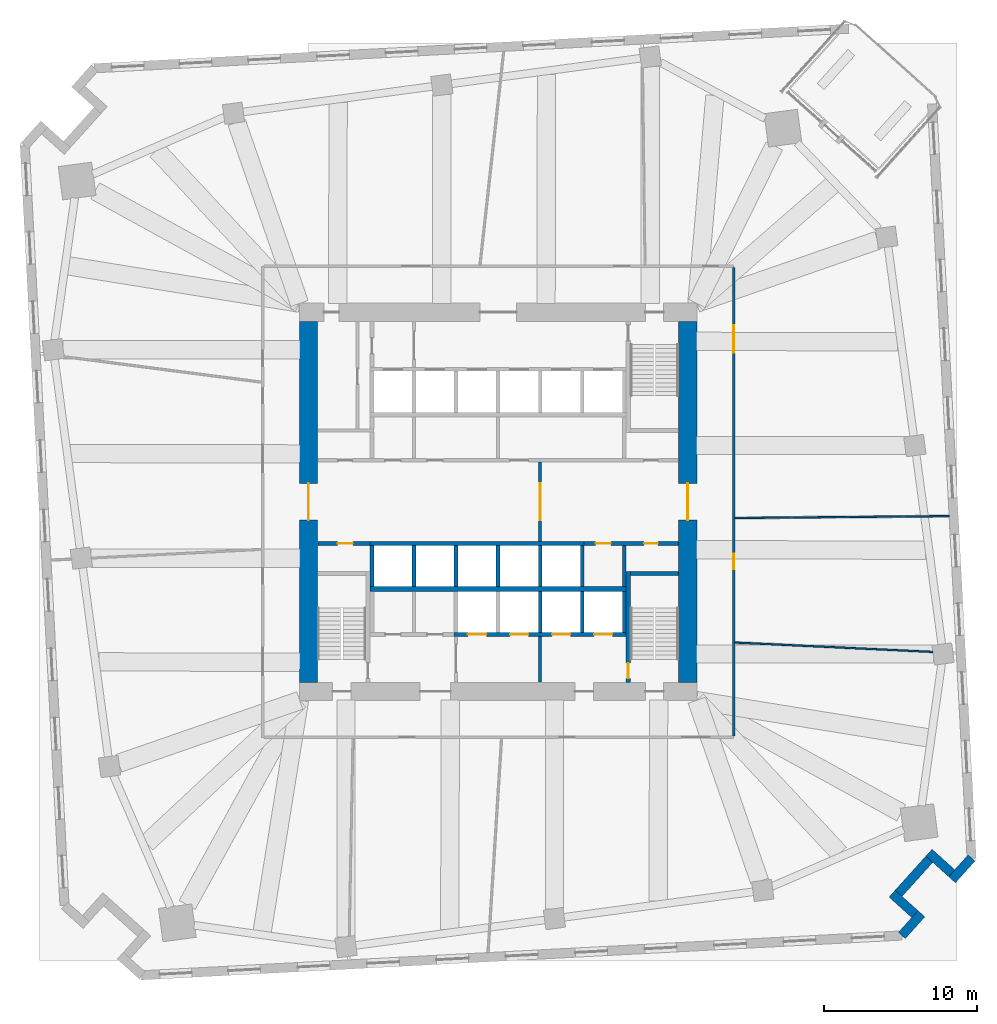
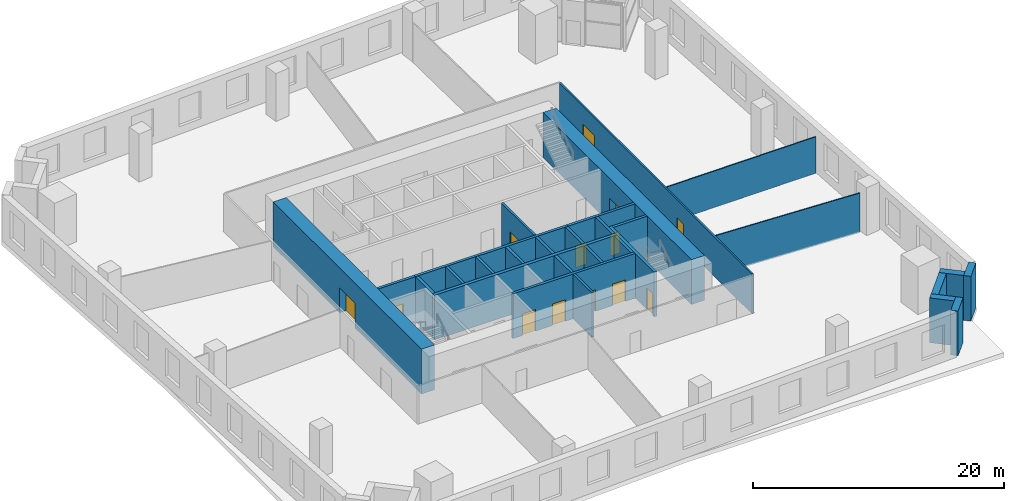
# One storey, part 5 of 10: 29 walls, 13 doors, 13 openings.
"""IFC4 building model written with IfcOpenShell, lengths in metres."""

import ifcopenshell
import ifcopenshell.guid

model = None  # the IFC model being written
_history = None  # IfcOwnerHistory: only IFC2X3 demands one
_inside = {}  # id of a spatial element -> (the spatial element, [elements in it])
_under = {}  # id of a project, library or spatial element -> (it, [spatial elements below it])
_declared = {}  # id of a project -> (the project, [libraries it declares])
_typed = {}  # id of a type object -> (the type object, [elements of that type])
_made_of = {}  # id of a material, layer set ... -> (it, [elements and type objects made of it])


def new_model(schema):
    """Start an empty IFC model of exactly this schema.

    Asked for "IFC4X3", IfcOpenShell would pick the latest addendum, in which some entities
    have other attributes; the version numbers below select the first issue.
    IFC2X3 requires an IfcOwnerHistory on every rooted entity: one is made here for all.
    """
    global model, _history
    if schema == "IFC4X3":
        model = ifcopenshell.file(schema_version=(4, 3, 0, 0))
    else:
        model = ifcopenshell.file(schema=schema)
    _inside.clear()
    _under.clear()
    _declared.clear()
    _typed.clear()
    _made_of.clear()
    _history = None
    if model.schema == "IFC2X3":
        org = make("IfcOrganization", Name="unknown")
        user = make(
            "IfcPersonAndOrganization",
            ThePerson=make("IfcPerson", FamilyName="unknown"),
            TheOrganization=org,
        )
        app = make(
            "IfcApplication",
            ApplicationDeveloper=org,
            Version="unknown",
            ApplicationFullName="unknown",
            ApplicationIdentifier="unknown",
        )
        _history = make(
            "IfcOwnerHistory",
            OwningUser=user,
            OwningApplication=app,
            ChangeAction="ADDED",
            CreationDate=0,
        )
    return model


def make(cls, **values):
    """One entity of the class cls with the attributes given. An attribute that is None is left unset."""
    return model.create_entity(
        cls, **{name: value for name, value in values.items() if value is not None}
    )


def rooted(cls, **values):
    """An entity with a GlobalId (a new one), such as an element, a storey or a relation."""
    return make(cls, GlobalId=ifcopenshell.guid.new(), OwnerHistory=_history, **values)


def si_unit(unit_type, name, prefix=None):
    """IfcSIUnit, for example si_unit("LENGTHUNIT", "METRE", prefix="MILLI")."""
    return make("IfcSIUnit", UnitType=unit_type, Prefix=prefix, Name=name)


def assignment(units):
    """IfcUnitAssignment: the units of a project."""
    return None if units is None else make("IfcUnitAssignment", Units=units)


def point(xyz):
    """IfcCartesianPoint."""
    return None if xyz is None else make("IfcCartesianPoint", Coordinates=xyz)


def direction(xyz):
    """IfcDirection."""
    return None if xyz is None else make("IfcDirection", DirectionRatios=xyz)


def frame(location, z_axis=None, x_axis=None):
    """IfcAxis2Placement3D, a coordinate frame: its origin and axes. An axis left out is left unset."""
    return make(
        "IfcAxis2Placement3D",
        Location=point(location),
        Axis=direction(z_axis),
        RefDirection=direction(x_axis),
    )


def frame_2d(location, x_axis=None):
    """IfcAxis2Placement2D, a coordinate frame in the plane: its origin and x axis."""
    return make(
        "IfcAxis2Placement2D", Location=point(location), RefDirection=direction(x_axis)
    )


def origin():
    """The frame at (0, 0, 0) with its axes left unset."""
    return frame((0.0, 0.0, 0.0))


def place(relative_to, where):
    """IfcLocalPlacement: puts the frame where relative to a parent placement (None: the world)."""
    return make(
        "IfcLocalPlacement", PlacementRelTo=relative_to, RelativePlacement=where
    )


def context(
    kind, dimensions, precision=None, world=None, true_north=None, identifier=None
):
    """IfcGeometricRepresentationContext, for example the 3D "Model" context."""
    return make(
        "IfcGeometricRepresentationContext",
        ContextIdentifier=identifier,
        ContextType=kind,
        CoordinateSpaceDimension=dimensions,
        Precision=precision,
        WorldCoordinateSystem=world,
        TrueNorth=true_north,
    )


def subcontext(parent, identifier, kind, view, scale=None):
    """IfcGeometricRepresentationSubContext, for example "Body" below "Model"."""
    return make(
        "IfcGeometricRepresentationSubContext",
        ContextIdentifier=identifier,
        ContextType=kind,
        ParentContext=parent,
        TargetScale=scale,
        TargetView=view,
    )


def project(units=None, contexts=None):
    """IfcProject with its units and contexts."""
    return rooted(
        "IfcProject",
        Name="project",
        RepresentationContexts=contexts,
        UnitsInContext=assignment(units),
    )


def spatial(cls, under=None, at=None, **own):
    """A site, building, storey or space (cls), placed at a placement, below another one or the project."""
    s = rooted(cls, ObjectPlacement=at, **own)
    if under is not None:
        _under.setdefault(under.id(), (under, []))[1].append(s)
    return s


def profile(cls, at=None, kind="AREA", **sizes):
    """A parametric profile (cls). Its sizes go by their IFC names, for example OverallWidth=200.0."""
    return make(cls, ProfileType=kind, Position=at, **sizes)


def rectangle(**sizes):
    """IfcRectangleProfileDef."""
    return profile("IfcRectangleProfileDef", **sizes)


def extrude(swept, where, along, depth):
    """IfcExtrudedAreaSolid: the profile swept, set in the frame where, extruded along a direction by depth."""
    return make(
        "IfcExtrudedAreaSolid",
        SweptArea=swept,
        Position=where,
        ExtrudedDirection=direction(along),
        Depth=depth,
    )


def shape(context_of_items, identifier, shape_type, items):
    """IfcShapeRepresentation: the items that make up one representation, for example the "Body"."""
    return make(
        "IfcShapeRepresentation",
        ContextOfItems=context_of_items,
        RepresentationIdentifier=identifier,
        RepresentationType=shape_type,
        Items=items,
    )


def material(Name=None, Category=None):
    """IfcMaterial."""
    return make("IfcMaterial", Name=Name, Category=Category)


def layer(
    of_material, thickness, ventilated=None, Name=None, Category=None, Priority=None
):
    """IfcMaterialLayer: one layer of a wall or slab, of a material (None: an air gap)."""
    return make(
        "IfcMaterialLayer",
        Material=of_material,
        LayerThickness=thickness,
        IsVentilated=ventilated,
        Name=Name,
        Category=Category,
        Priority=Priority,
    )


def layer_set(layers, Name=None):
    """IfcMaterialLayerSet."""
    return make("IfcMaterialLayerSet", MaterialLayers=layers, LayerSetName=Name)


def made_of(thing, what):
    """Note that an element or type object is made of a material, layer set ...; save() writes the relation."""
    if what is not None:
        _made_of.setdefault(what.id(), (what, []))[1].append(thing)
    return thing


def type_object(cls, material=None, **own):
    """A type object (cls), such as IfcWallType, which elements share."""
    return made_of(rooted(cls, **own), material)


def element(
    cls,
    number,
    at=None,
    inside=None,
    cuts=None,
    type_object=None,
    material=None,
    context=None,
    identifier="Body",
    shape_type=None,
    held_by="IfcProductDefinitionShape",
    body=None,
    shapes=None,
    **own,
):
    """One element of the class cls, such as IfcWall. Its Tag is "e" and its number.

    at: its placement. inside: the storey or other place that contains it. cuts: it is an
    opening in that element (IfcRelVoidsElement). A single representation is given by context,
    identifier, shape_type and body (its items); several are given by shapes. held_by: the class
    of the entity that holds the representations. save() writes the other relations.
    """
    e = rooted(cls, Tag="e%d" % number, ObjectPlacement=at, **own)
    if body is not None:
        shapes = [shape(context, identifier, shape_type, body)]
    if shapes is not None:
        e.Representation = make(held_by, Representations=shapes)
    if inside is not None:
        _inside.setdefault(inside.id(), (inside, []))[1].append(e)
    if cuts is not None:
        rooted(
            "IfcRelVoidsElement", RelatingBuildingElement=cuts, RelatedOpeningElement=e
        )
    if type_object is not None:
        _typed.setdefault(type_object.id(), (type_object, []))[1].append(e)
    return made_of(e, material)


def fill(opening, filler):
    """IfcRelFillsElement: the door or window that sits in an opening."""
    return rooted(
        "IfcRelFillsElement",
        RelatingOpeningElement=opening,
        RelatedBuildingElement=filler,
    )


def aggregate(whole, parts):
    """IfcRelAggregates: a whole, such as a stair, and the parts it consists of."""
    return rooted("IfcRelAggregates", RelatingObject=whole, RelatedObjects=parts)


def save(model, path):
    """Write the relations noted so far, then the file.

    IfcRelAggregates (storeys below a building ...), IfcRelContainedInSpatialStructure (elements
    in a storey), IfcRelDefinesByType, IfcRelAssociatesMaterial and IfcRelDeclares: one each for
    every whole, place, type object, material and project.
    """
    for whole, parts in _under.values():
        aggregate(whole, parts)
    for where, things in _inside.values():
        rooted(
            "IfcRelContainedInSpatialStructure",
            RelatedElements=things,
            RelatingStructure=where,
        )
    for kind, things in _typed.values():
        rooted("IfcRelDefinesByType", RelatedObjects=things, RelatingType=kind)
    for what, things in _made_of.values():
        rooted("IfcRelAssociatesMaterial", RelatedObjects=things, RelatingMaterial=what)
    for by, libraries in _declared.values():
        rooted("IfcRelDeclares", RelatingContext=by, RelatedDefinitions=libraries)
    model.write(path)


model = new_model("IFC4")

# Units and contexts
model_context = context("Model", 3, precision=1e-05, world=origin(), true_north=direction((0.0, 1.0)))
body_context = subcontext(model_context, "Body", "Model", "MODEL_VIEW")
ifc_project = project(units=[si_unit("LENGTHUNIT", "METRE"), si_unit("AREAUNIT", "SQUARE_METRE"), si_unit("VOLUMEUNIT", "CUBIC_METRE"), si_unit("PLANEANGLEUNIT", "RADIAN"), si_unit("MASSUNIT", "GRAM", prefix="KILO")], contexts=[model_context])

# Site, building, storey
site_placement = place(None, origin())
site = spatial("IfcSite", under=ifc_project, at=site_placement, CompositionType="ELEMENT")
building_placement = place(site_placement, origin())
building = spatial("IfcBuilding", under=site, at=building_placement, Name="Dilmun Exchange Tower", CompositionType="ELEMENT")
storey_placement = place(building_placement, frame((0.0, 0.0, 22.5)))
storey = spatial("IfcBuildingStorey", under=building, at=storey_placement, Name="L05", CompositionType="ELEMENT", Elevation=22.5)

# Wall
ifc_material_1 = material(Name="Concrete C40/50", Category="concrete")
ifc_layer_1 = layer(ifc_material_1, 0.199951171875)
ifc_layer_set_1 = layer_set([ifc_layer_1], Name="Concrete C40/50")
wall_type_1 = type_object("IfcWallType", Name="Core partition wall 200", PredefinedType="PARTITIONING", material=ifc_layer_set_1)
wall_1_placement = place(storey_placement, frame((2.75, -11.794921875, 0.0), z_axis=(0.0, 0.0, 1.0), x_axis=(0.0, 1.0, 0.0)))
element("IfcWall", 1, at=wall_1_placement, inside=storey, type_object=wall_type_1, Name="L05 core partition wall 02", PredefinedType="PARTITIONING", context=body_context, shape_type="SweptSolid", body=[
    extrude(rectangle(XDim=2.989990234375, YDim=0.199951171875, at=frame_2d((1.4951171875, 0.0))), origin(), (0.0, 0.0, 1.0), 4.35009765625),
])

# Wall, opening, door
wall_2_placement = place(storey_placement, frame((2.75, -2.594970703125, 0.0), z_axis=(0.0, 0.0, 1.0), x_axis=(0.0, 1.0, 0.0)))
wall_2 = element("IfcWall", 2, at=wall_2_placement, inside=storey, type_object=wall_type_1, Name="L05 core partition wall 09", PredefinedType="PARTITIONING", context=body_context, shape_type="SweptSolid", body=[
    extrude(rectangle(XDim=5.18994140625, YDim=0.199951171875, at=frame_2d((2.594970703125, 0.0))), origin(), (0.0, 0.0, 1.0), 4.35009765625),
])
opening_1_placement = place(wall_2_placement, frame((1.39501953125, 0.0, 0.0)))
opening_1 = element("IfcOpeningElement", 3, at=opening_1_placement, cuts=wall_2, Name="Opening CD1", PredefinedType="OPENING", context=body_context, shape_type="SweptSolid", body=[
    extrude(rectangle(XDim=2.39990234375, YDim=2.39990234375, at=frame_2d((1.199951171875, 1.199951171875))), frame((0.0, 0.10986328125, 0.0), z_axis=(0.0, -1.0, 0.0), x_axis=(1.0, 0.0, 0.0)), (0.0, 0.0, 1.0), 0.219970703125),
])
ifc_material_2 = material(Name="Fire-rated steel door set", Category="steel")
door_type_1 = type_object("IfcDoorType", Name="Core lobby door 2400x2400", OperationType="DOUBLE_DOOR_DOUBLE_SWING", PredefinedType="DOOR", material=ifc_material_2)
door_1_placement = place(opening_1_placement, origin())
door_1 = element("IfcDoor", 4, at=door_1_placement, inside=storey, type_object=door_type_1, Name="L05 door Lift lobby east", OperationType="DOUBLE_DOOR_DOUBLE_SWING", OverallHeight=2.39990234375, OverallWidth=2.39990234375, PredefinedType="DOOR", context=body_context, shape_type="SweptSolid", body=[
    extrude(rectangle(XDim=2.39990234375, YDim=2.39990234375, at=frame_2d((1.199951171875, 1.199951171875))), frame((0.0, 0.02490234375, 0.0), z_axis=(0.0, -1.0, 0.0), x_axis=(1.0, 0.0, 0.0)), (0.0, 0.0, 1.0), 0.050048828125),
])
fill(opening_1, door_1)

# Wall
ifc_layer_2 = layer(ifc_material_1, 0.25)
ifc_layer_set_2 = layer_set([ifc_layer_2], Name="Concrete C40/50")
wall_type_2 = type_object("IfcWallType", Name="Core partition wall 250", PredefinedType="PARTITIONING", material=ifc_layer_set_2)
wall_3_placement = place(storey_placement, frame((8.25, -5.544921875, 0.0), z_axis=(0.0, 0.0, 1.0), x_axis=(0.0, 1.0, 0.0)))
element("IfcWall", 5, at=wall_3_placement, inside=storey, type_object=wall_type_2, Name="L05 core partition wall 06", PredefinedType="PARTITIONING", context=body_context, shape_type="SweptSolid", body=[
    extrude(rectangle(XDim=2.68994140625, YDim=0.25, at=frame_2d((1.344970703125, 0.0))), origin(), (0.0, 0.0, 1.0), 4.35009765625),
])

# Wall, opening, door
wall_4_placement = place(storey_placement, frame((-11.794921875, -2.72509765625, 0.0), z_axis=(0.0, 0.0, 1.0), x_axis=(1.0, 0.0, 0.0)))
wall_4 = element("IfcWall", 6, at=wall_4_placement, inside=storey, type_object=wall_type_2, Name="L05 core partition wall 07", PredefinedType="PARTITIONING", context=body_context, shape_type="SweptSolid", body=[
    extrude(rectangle(XDim=3.4150390625, YDim=0.25, at=frame_2d((1.70751953125, 0.0))), origin(), (0.0, 0.0, 1.0), 4.35009765625),
])
opening_2_placement = place(wall_4_placement, frame((1.294921875, 0.0, 0.0)))
opening_2 = element("IfcOpeningElement", 7, at=opening_2_placement, cuts=wall_4, Name="Opening CD4", PredefinedType="OPENING", context=body_context, shape_type="SweptSolid", body=[
    extrude(rectangle(XDim=1.0, YDim=2.10009765625, at=frame_2d((0.5, 1.050048828125))), frame((0.0, 0.135009765625, 0.0), z_axis=(0.0, -1.0, 0.0), x_axis=(1.0, 0.0, 0.0)), (0.0, 0.0, 1.0), 0.27001953125),
])
door_type_2 = type_object("IfcDoorType", Name="Core room door 1000x2100", OperationType="SINGLE_SWING_LEFT", PredefinedType="DOOR", material=ifc_material_2)
door_2_placement = place(opening_2_placement, origin())
door_2 = element("IfcDoor", 8, at=door_2_placement, inside=storey, type_object=door_type_2, Name="L05 door Accessible WC", OperationType="SINGLE_SWING_RIGHT", OverallHeight=2.10009765625, OverallWidth=1.0, PredefinedType="DOOR", context=body_context, shape_type="SweptSolid", body=[
    extrude(rectangle(XDim=1.0, YDim=2.10009765625, at=frame_2d((0.5, 1.050048828125))), frame((0.0, 0.02490234375, 0.0), z_axis=(0.0, -1.0, 0.0), x_axis=(1.0, 0.0, 0.0)), (0.0, 0.0, 1.0), 0.050048828125),
])
fill(opening_2, door_2)

# Wall, openings, doors
wall_5_placement = place(storey_placement, frame((5.6298828125, -2.72509765625, 0.0), z_axis=(0.0, 0.0, 1.0), x_axis=(1.0, 0.0, 0.0)))
wall_5 = element("IfcWall", 9, at=wall_5_placement, inside=storey, type_object=wall_type_2, Name="L05 core partition wall 08", PredefinedType="PARTITIONING", context=body_context, shape_type="SweptSolid", body=[
    extrude(rectangle(XDim=6.1650390625, YDim=0.25, at=frame_2d((3.08251953125, 0.0))), origin(), (0.0, 0.0, 1.0), 4.35009765625),
])
opening_3_placement = place(wall_5_placement, frame((0.7451171875, 0.0, 0.0)))
opening_3 = element("IfcOpeningElement", 10, at=opening_3_placement, cuts=wall_5, Name="Opening CD4", PredefinedType="OPENING", context=body_context, shape_type="SweptSolid", body=[
    extrude(rectangle(XDim=1.0, YDim=2.10009765625, at=frame_2d((0.5, 1.050048828125))), frame((0.0, 0.135009765625, 0.0), z_axis=(0.0, -1.0, 0.0), x_axis=(1.0, 0.0, 0.0)), (0.0, 0.0, 1.0), 0.27001953125),
])
opening_4_placement = place(wall_5_placement, frame((3.919921875, 0.0, 0.0)))
opening_4 = element("IfcOpeningElement", 11, at=opening_4_placement, cuts=wall_5, Name="Opening CD6", PredefinedType="OPENING", context=body_context, shape_type="SweptSolid", body=[
    extrude(rectangle(XDim=0.89990234375, YDim=2.10009765625, at=frame_2d((0.449951171875, 1.050048828125))), frame((0.0, 0.135009765625, 0.0), z_axis=(0.0, -1.0, 0.0), x_axis=(1.0, 0.0, 0.0)), (0.0, 0.0, 1.0), 0.27001953125),
])
door_3_placement = place(opening_3_placement, origin())
door_3 = element("IfcDoor", 12, at=door_3_placement, inside=storey, type_object=door_type_2, Name="L05 door Cleaners' store", OperationType="SINGLE_SWING_RIGHT", OverallHeight=2.10009765625, OverallWidth=1.0, PredefinedType="DOOR", context=body_context, shape_type="SweptSolid", body=[
    extrude(rectangle(XDim=1.0, YDim=2.10009765625, at=frame_2d((0.5, 1.050048828125))), frame((0.0, 0.02490234375, 0.0), z_axis=(0.0, -1.0, 0.0), x_axis=(1.0, 0.0, 0.0)), (0.0, 0.0, 1.0), 0.050048828125),
])
fill(opening_3, door_3)
door_type_3 = type_object("IfcDoorType", Name="Core room door 900x2100", OperationType="SINGLE_SWING_LEFT", PredefinedType="DOOR", material=ifc_material_2)
door_4_placement = place(opening_4_placement, origin())
door_4 = element("IfcDoor", 13, at=door_4_placement, inside=storey, type_object=door_type_3, Name="L05 door Comms riser", OperationType="SINGLE_SWING_RIGHT", OverallHeight=2.10009765625, OverallWidth=0.89990234375, PredefinedType="DOOR", context=body_context, shape_type="SweptSolid", body=[
    extrude(rectangle(XDim=0.89990234375, YDim=2.10009765625, at=frame_2d((0.449951171875, 1.050048828125))), frame((0.0, 0.02490234375, 0.0), z_axis=(0.0, -1.0, 0.0), x_axis=(1.0, 0.0, 0.0)), (0.0, 0.0, 1.0), 0.050048828125),
])
fill(opening_4, door_4)

# Wall, opening, door
ifc_material_3 = material(Name="Concrete C80/95", Category="concrete")
ifc_layer_3 = layer(ifc_material_3, 1.199951171875)
ifc_layer_set_3 = layer_set([ifc_layer_3], Name="Concrete C80/95")
wall_type_3 = type_object("IfcWallType", Name="Core shear wall 1200 Concrete C80/95", PredefinedType="SHEAR", material=ifc_layer_set_3)
wall_6_placement = place(storey_placement, frame((12.39990234375, -11.800048828125, 0.0), z_axis=(0.0, 0.0, 1.0), x_axis=(0.0, 1.0, 0.0)))
wall_6 = element("IfcWall", 14, at=wall_6_placement, inside=storey, type_object=wall_type_3, Name="L05 core shear wall E", PredefinedType="SHEAR", context=body_context, shape_type="SweptSolid", body=[
    extrude(rectangle(XDim=23.60009765625, YDim=1.199951171875, at=frame_2d((11.800048828125, 0.0))), origin(), (0.0, 0.0, 1.0), 4.35009765625),
])
opening_5_placement = place(wall_6_placement, frame((10.60009765625, 0.0, 0.0)))
opening_5 = element("IfcOpeningElement", 15, at=opening_5_placement, cuts=wall_6, Name="Opening CD1", PredefinedType="OPENING", context=body_context, shape_type="SweptSolid", body=[
    extrude(rectangle(XDim=2.39990234375, YDim=2.39990234375, at=frame_2d((1.199951171875, 1.199951171875))), frame((0.0, 0.60986328125, 0.0), z_axis=(0.0, -1.0, 0.0), x_axis=(1.0, 0.0, 0.0)), (0.0, 0.0, 1.0), 1.219970703125),
])
door_5_placement = place(opening_5_placement, origin())
door_5 = element("IfcDoor", 16, at=door_5_placement, inside=storey, type_object=door_type_1, Name="L05 door Central lift lobby", OperationType="SINGLE_SWING_LEFT", OverallHeight=2.39990234375, OverallWidth=2.39990234375, PredefinedType="DOOR", context=body_context, shape_type="SweptSolid", body=[
    extrude(rectangle(XDim=2.39990234375, YDim=2.39990234375, at=frame_2d((1.199951171875, 1.199951171875))), frame((0.0, 0.02490234375, 0.0), z_axis=(0.0, -1.0, 0.0), x_axis=(1.0, 0.0, 0.0)), (0.0, 0.0, 1.0), 0.050048828125),
])
fill(opening_5, door_5)

wall_7_placement = place(storey_placement, frame((-12.39990234375, -11.800048828125, 0.0), z_axis=(0.0, 0.0, 1.0), x_axis=(0.0, 1.0, 0.0)))
wall_7 = element("IfcWall", 17, at=wall_7_placement, inside=storey, type_object=wall_type_3, Name="L05 core shear wall W", PredefinedType="SHEAR", context=body_context, shape_type="SweptSolid", body=[
    extrude(rectangle(XDim=23.60009765625, YDim=1.199951171875, at=frame_2d((11.800048828125, 0.0))), origin(), (0.0, 0.0, 1.0), 4.35009765625),
])
opening_6_placement = place(wall_7_placement, frame((10.60009765625, 0.0, 0.0)))
opening_6 = element("IfcOpeningElement", 18, at=opening_6_placement, cuts=wall_7, Name="Opening CD1", PredefinedType="OPENING", context=body_context, shape_type="SweptSolid", body=[
    extrude(rectangle(XDim=2.39990234375, YDim=2.39990234375, at=frame_2d((1.199951171875, 1.199951171875))), frame((0.0, 0.60986328125, 0.0), z_axis=(0.0, -1.0, 0.0), x_axis=(1.0, 0.0, 0.0)), (0.0, 0.0, 1.0), 1.219970703125),
])
door_6_placement = place(opening_6_placement, origin())
door_6 = element("IfcDoor", 19, at=door_6_placement, inside=storey, type_object=door_type_1, Name="L05 door Central lift lobby", OperationType="SINGLE_SWING_LEFT", OverallHeight=2.39990234375, OverallWidth=2.39990234375, PredefinedType="DOOR", context=body_context, shape_type="SweptSolid", body=[
    extrude(rectangle(XDim=2.39990234375, YDim=2.39990234375, at=frame_2d((1.199951171875, 1.199951171875))), frame((0.0, 0.02490234375, 0.0), z_axis=(0.0, -1.0, 0.0), x_axis=(1.0, 0.0, 0.0)), (0.0, 0.0, 1.0), 0.050048828125),
])
fill(opening_6, door_6)

# Wall, openings, doors
ifc_material_4 = material(Name="Corridor wall 150")
ifc_layer_4 = layer(ifc_material_4, 0.14990234375)
ifc_layer_set_4 = layer_set([ifc_layer_4], Name="Corridor wall 150")
wall_type_4 = type_object("IfcWallType", Name="Corridor wall 150", PredefinedType="PARTITIONING", material=ifc_layer_set_4)
wall_8_placement = place(storey_placement, frame((15.39990234375, -15.324951171875, 0.0), z_axis=(0.0, 0.0, 1.0), x_axis=(0.0, 1.0, 0.0)))
wall_8 = element("IfcWall", 20, at=wall_8_placement, inside=storey, type_object=wall_type_4, Name="Corridor wall", PredefinedType="PARTITIONING", context=body_context, shape_type="SweptSolid", body=[
    extrude(rectangle(XDim=30.64990234375, YDim=0.14990234375, at=frame_2d((15.324951171875, 0.0))), origin(), (0.0, 0.0, 1.0), 3.85009765625),
])
opening_7_placement = place(wall_8_placement, frame((25.067626953125, 0.0, 0.0)))
opening_7 = element("IfcOpeningElement", 21, at=opening_7_placement, cuts=wall_8, Name="Opening TF05-D11", PredefinedType="OPENING", context=body_context, shape_type="SweptSolid", body=[
    extrude(rectangle(XDim=1.800048828125, YDim=2.10009765625, at=frame_2d((0.89990234375, 1.050048828125))), frame((0.0, 0.0849609375, 0.0), z_axis=(0.0, -1.0, 0.0), x_axis=(1.0, 0.0, 0.0)), (0.0, 0.0, 1.0), 0.169921875),
])
opening_8_placement = place(wall_8_placement, frame((10.927490234375, 0.0, 0.0)))
opening_8 = element("IfcOpeningElement", 22, at=opening_8_placement, cuts=wall_8, Name="Opening TF05-D13", PredefinedType="OPENING", context=body_context, shape_type="SweptSolid", body=[
    extrude(rectangle(XDim=1.0, YDim=2.10009765625, at=frame_2d((0.5, 1.050048828125))), frame((0.0, 0.0849609375, 0.0), z_axis=(0.0, -1.0, 0.0), x_axis=(1.0, 0.0, 0.0)), (0.0, 0.0, 1.0), 0.169921875),
])
ifc_material_5 = material(Name="Fire door 1000 x 2100")
door_type_4 = type_object("IfcDoorType", Name="Fire door 1000 x 2100", OperationType="NOTDEFINED", PredefinedType="DOOR", material=ifc_material_5)
door_7_placement = place(opening_8_placement, frame((1.0, 0.0, 0.0), z_axis=(0.0, 0.0, 1.0), x_axis=(-1.0, 0.0, 0.0)))
door_7 = element("IfcDoor", 23, at=door_7_placement, inside=storey, type_object=door_type_4, Name="Door TF05-D13", OperationType="SINGLE_SWING_RIGHT", OverallHeight=2.10009765625, OverallWidth=1.0, PredefinedType="DOOR", context=body_context, shape_type="SweptSolid", body=[
    extrude(rectangle(XDim=1.0, YDim=2.10009765625, at=frame_2d((0.5, 1.050048828125))), frame((0.0, 0.02490234375, 0.0), z_axis=(0.0, -1.0, 0.0), x_axis=(1.0, 0.0, 0.0)), (0.0, 0.0, 1.0), 0.050048828125),
])
fill(opening_8, door_7)
ifc_material_6 = material(Name="Fire door pair 1800 x 2100")
door_type_5 = type_object("IfcDoorType", Name="Fire door pair 1800 x 2100", OperationType="NOTDEFINED", PredefinedType="DOOR", material=ifc_material_6)
door_8_placement = place(opening_7_placement, frame((1.800048828125, 0.0, 0.0), z_axis=(0.0, 0.0, 1.0), x_axis=(-1.0, 0.0, 0.0)))
door_8 = element("IfcDoor", 24, at=door_8_placement, inside=storey, type_object=door_type_5, Name="Door TF05-D11", OperationType="DOUBLE_DOOR_SINGLE_SWING", OverallHeight=2.10009765625, OverallWidth=1.800048828125, PredefinedType="DOOR", context=body_context, shape_type="SweptSolid", body=[
    extrude(rectangle(XDim=1.800048828125, YDim=2.10009765625, at=frame_2d((0.89990234375, 1.050048828125))), frame((0.0, 0.02490234375, 0.0), z_axis=(0.0, -1.0, 0.0), x_axis=(1.0, 0.0, 0.0)), (0.0, 0.0, 1.0), 0.050048828125),
])
fill(opening_7, door_8)

# Walls
ifc_layer_5 = layer(ifc_material_1, 0.300048828125)
ifc_layer_set_5 = layer_set([ifc_layer_5], Name="Concrete C40/50")
wall_type_5 = type_object("IfcWallType", Name="Lift shaft shared wall 300", PredefinedType="SOLIDWALL", material=ifc_layer_set_5)
wall_9_placement = place(storey_placement, frame((-8.375, -5.699951171875, 0.0), z_axis=(0.0, 0.0, 1.0), x_axis=(1.0, 0.0, 0.0)))
element("IfcWall", 25, at=wall_9_placement, inside=storey, type_object=wall_type_5, Name="L05 lift shaft rear wall S", PredefinedType="SOLIDWALL", context=body_context, shape_type="SweptSolid", body=[
    extrude(rectangle(XDim=16.75, YDim=0.300048828125, at=frame_2d((8.375, 0.0))), origin(), (0.0, 0.0, 1.0), 4.35009765625),
])
ifc_layer_6 = layer(ifc_material_1, 0.25)
ifc_layer_set_6 = layer_set([ifc_layer_6], Name="Concrete C40/50")
wall_type_6 = type_object("IfcWallType", Name="Lift shaft wall 250", PredefinedType="SOLIDWALL", material=ifc_layer_set_6)
wall_10_placement = place(storey_placement, frame((-8.375, -2.72509765625, 0.0), z_axis=(0.0, 0.0, 1.0), x_axis=(1.0, 0.0, 0.0)))
element("IfcWall", 26, at=wall_10_placement, inside=storey, type_object=wall_type_6, Name="L05 lift shaft front wall S1", PredefinedType="SOLIDWALL", context=body_context, shape_type="SweptSolid", body=[
    extrude(rectangle(XDim=14.0, YDim=0.25, at=frame_2d((7.0, 0.0))), origin(), (0.0, 0.0, 1.0), 4.35009765625),
])
for number, where, z_axis, x_axis, name in (
    (27, (-8.25, -5.550048828125, 0.0), (0.0, 0.0, 1.0), (0.0, 1.0, 0.0), "L05 lift shaft divider S10"),
    (28, (-5.5, -5.550048828125, 0.0), (0.0, 0.0, 1.0), (0.0, 1.0, 0.0), "L05 lift shaft divider S11"),
    (29, (-2.75, -5.550048828125, 0.0), (0.0, 0.0, 1.0), (0.0, 1.0, 0.0), "L05 lift shaft divider S12"),
    (30, (0.0, -5.550048828125, 0.0), (0.0, 0.0, 1.0), (0.0, 1.0, 0.0), "L05 lift shaft divider S13"),
    (31, (2.75, -5.550048828125, 0.0), (0.0, 0.0, 1.0), (0.0, 1.0, 0.0), "L05 lift shaft divider S14"),
    (32, (5.5, -5.550048828125, 0.0), (0.0, 0.0, 1.0), (0.0, 1.0, 0.0), "L05 lift shaft divider S15"),
):
    element("IfcWall", number, at=place(storey_placement, frame(where, z_axis=z_axis, x_axis=x_axis)), inside=storey, type_object=wall_type_6, Name=name, PredefinedType="SOLIDWALL", context=body_context, shape_type="SweptSolid", body=[
        extrude(rectangle(XDim=2.699951171875, YDim=0.25, at=frame_2d((1.35009765625, 0.0))), origin(), (0.0, 0.0, 1.0), 4.35009765625),
    ])

# Wall, openings, doors
wall_11_placement = place(storey_placement, frame((-2.875, -8.675048828125, 0.0), z_axis=(0.0, 0.0, 1.0), x_axis=(1.0, 0.0, 0.0)))
wall_11 = element("IfcWall", 33, at=wall_11_placement, inside=storey, type_object=wall_type_6, Name="L05 lift shaft front wall S2", PredefinedType="SOLIDWALL", context=body_context, shape_type="SweptSolid", body=[
    extrude(rectangle(XDim=11.25, YDim=0.25, at=frame_2d((5.625, 0.0))), origin(), (0.0, 0.0, 1.0), 4.35009765625),
])
opening_9_placement = place(wall_11_placement, frame((0.89990234375, 0.0, 0.0)))
opening_9 = element("IfcOpeningElement", 34, at=opening_9_placement, cuts=wall_11, Name="Opening LD", PredefinedType="OPENING", context=body_context, shape_type="SweptSolid", body=[
    extrude(rectangle(XDim=1.199951171875, YDim=2.10009765625, at=frame_2d((0.60009765625, 1.050048828125))), frame((0.0, 0.135009765625, 0.0), z_axis=(0.0, -1.0, 0.0), x_axis=(1.0, 0.0, 0.0)), (0.0, 0.0, 1.0), 0.27001953125),
])
opening_10_placement = place(wall_11_placement, frame((3.64990234375, 0.0, 0.0)))
opening_10 = element("IfcOpeningElement", 35, at=opening_10_placement, cuts=wall_11, Name="Opening LD", PredefinedType="OPENING", context=body_context, shape_type="SweptSolid", body=[
    extrude(rectangle(XDim=1.199951171875, YDim=2.10009765625, at=frame_2d((0.60009765625, 1.050048828125))), frame((0.0, 0.135009765625, 0.0), z_axis=(0.0, -1.0, 0.0), x_axis=(1.0, 0.0, 0.0)), (0.0, 0.0, 1.0), 0.27001953125),
])
opening_11_placement = place(wall_11_placement, frame((6.39990234375, 0.0, 0.0)))
opening_11 = element("IfcOpeningElement", 36, at=opening_11_placement, cuts=wall_11, Name="Opening LD", PredefinedType="OPENING", context=body_context, shape_type="SweptSolid", body=[
    extrude(rectangle(XDim=1.199951171875, YDim=2.10009765625, at=frame_2d((0.60009765625, 1.050048828125))), frame((0.0, 0.135009765625, 0.0), z_axis=(0.0, -1.0, 0.0), x_axis=(1.0, 0.0, 0.0)), (0.0, 0.0, 1.0), 0.27001953125),
])
opening_12_placement = place(wall_11_placement, frame((9.14990234375, 0.0, 0.0)))
opening_12 = element("IfcOpeningElement", 37, at=opening_12_placement, cuts=wall_11, Name="Opening LD", PredefinedType="OPENING", context=body_context, shape_type="SweptSolid", body=[
    extrude(rectangle(XDim=1.199951171875, YDim=2.10009765625, at=frame_2d((0.60009765625, 1.050048828125))), frame((0.0, 0.135009765625, 0.0), z_axis=(0.0, -1.0, 0.0), x_axis=(1.0, 0.0, 0.0)), (0.0, 0.0, 1.0), 0.27001953125),
])
door_type_6 = type_object("IfcDoorType", Name="Lift landing door 1200x2100", OperationType="DOUBLE_DOOR_SLIDING", PredefinedType="DOOR", material=ifc_material_2)
door_9_placement = place(opening_9_placement, origin())
door_9 = element("IfcDoor", 38, at=door_9_placement, inside=storey, type_object=door_type_6, Name="L05 landing door SV1", OperationType="DOUBLE_DOOR_SLIDING", OverallHeight=2.10009765625, OverallWidth=1.199951171875, PredefinedType="DOOR", context=body_context, shape_type="SweptSolid", body=[
    extrude(rectangle(XDim=1.199951171875, YDim=2.10009765625, at=frame_2d((0.60009765625, 1.050048828125))), frame((0.0, 0.02490234375, 0.0), z_axis=(0.0, -1.0, 0.0), x_axis=(1.0, 0.0, 0.0)), (0.0, 0.0, 1.0), 0.050048828125),
])
fill(opening_9, door_9)
door_10_placement = place(opening_10_placement, origin())
door_10 = element("IfcDoor", 39, at=door_10_placement, inside=storey, type_object=door_type_6, Name="L05 landing door SV2", OperationType="DOUBLE_DOOR_SLIDING", OverallHeight=2.10009765625, OverallWidth=1.199951171875, PredefinedType="DOOR", context=body_context, shape_type="SweptSolid", body=[
    extrude(rectangle(XDim=1.199951171875, YDim=2.10009765625, at=frame_2d((0.60009765625, 1.050048828125))), frame((0.0, 0.02490234375, 0.0), z_axis=(0.0, -1.0, 0.0), x_axis=(1.0, 0.0, 0.0)), (0.0, 0.0, 1.0), 0.050048828125),
])
fill(opening_10, door_10)
door_11_placement = place(opening_11_placement, origin())
door_11 = element("IfcDoor", 40, at=door_11_placement, inside=storey, type_object=door_type_6, Name="L05 landing door FF1", OperationType="DOUBLE_DOOR_SLIDING", OverallHeight=2.10009765625, OverallWidth=1.199951171875, PredefinedType="DOOR", context=body_context, shape_type="SweptSolid", body=[
    extrude(rectangle(XDim=1.199951171875, YDim=2.10009765625, at=frame_2d((0.60009765625, 1.050048828125))), frame((0.0, 0.02490234375, 0.0), z_axis=(0.0, -1.0, 0.0), x_axis=(1.0, 0.0, 0.0)), (0.0, 0.0, 1.0), 0.050048828125),
])
fill(opening_11, door_11)
door_12_placement = place(opening_12_placement, origin())
door_12 = element("IfcDoor", 41, at=door_12_placement, inside=storey, type_object=door_type_6, Name="L05 landing door FF2", OperationType="DOUBLE_DOOR_SLIDING", OverallHeight=2.10009765625, OverallWidth=1.199951171875, PredefinedType="DOOR", context=body_context, shape_type="SweptSolid", body=[
    extrude(rectangle(XDim=1.199951171875, YDim=2.10009765625, at=frame_2d((0.60009765625, 1.050048828125))), frame((0.0, 0.02490234375, 0.0), z_axis=(0.0, -1.0, 0.0), x_axis=(1.0, 0.0, 0.0)), (0.0, 0.0, 1.0), 0.050048828125),
])
fill(opening_12, door_12)

# Walls
for number, where, z_axis, x_axis, name in (
    (42, (2.75, -8.550048828125, 0.0), (0.0, 0.0, 1.0), (0.0, 1.0, 0.0), "L05 lift shaft divider S24"),
    (43, (5.5, -8.550048828125, 0.0), (0.0, 0.0, 1.0), (0.0, 1.0, 0.0), "L05 lift shaft divider S25"),
    (44, (8.25, -8.550048828125, 0.0), (0.0, 0.0, 1.0), (0.0, 1.0, 0.0), "L05 lift shaft divider S26"),
):
    element("IfcWall", number, at=place(storey_placement, frame(where, z_axis=z_axis, x_axis=x_axis)), inside=storey, type_object=wall_type_6, Name=name, PredefinedType="SOLIDWALL", context=body_context, shape_type="SweptSolid", body=[
        extrude(rectangle(XDim=2.699951171875, YDim=0.25, at=frame_2d((1.35009765625, 0.0))), origin(), (0.0, 0.0, 1.0), 4.35009765625),
    ])
ifc_material_7 = material(Name="Partition 100")
ifc_layer_7 = layer(ifc_material_7, 0.10009765625)
ifc_layer_set_7 = layer_set([ifc_layer_7], Name="Partition 100")
wall_type_7 = type_object("IfcWallType", Name="Partition 100", PredefinedType="PARTITIONING", material=ifc_layer_set_7)
wall_12_placement = place(storey_placement, frame((15.477294921875, -9.19970703125, 0.0), z_axis=(0.0, 0.0, 1.0), x_axis=(0.998880891155, -0.04729656738, 0.0)))
element("IfcWall", 45, at=wall_12_placement, inside=storey, type_object=wall_type_7, Name="Partition", PredefinedType="PARTITIONING", context=body_context, shape_type="SweptSolid", body=[
    extrude(rectangle(XDim=12.956298828125, YDim=0.10009765625, at=frame_2d((6.47802734375, 0.0))), origin(), (0.0, 0.0, 1.0), 3.85009765625),
])
wall_13_placement = place(storey_placement, frame((15.475341796875, -1.056396484375, 0.0), z_axis=(0.0, 0.0, 1.0), x_axis=(0.999960210713, 0.00892059359, 0.0)))
element("IfcWall", 46, at=wall_13_placement, inside=storey, type_object=wall_type_7, Name="Partition", PredefinedType="PARTITIONING", context=body_context, shape_type="SweptSolid", body=[
    extrude(rectangle(XDim=14.012451171875, YDim=0.10009765625, at=frame_2d((7.00634765625, 0.0))), origin(), (0.0, 0.0, 1.0), 3.550048828125),
])
ifc_material_8 = material(Name="Precast concrete C50/60", Category="concrete")
ifc_layer_8 = layer(ifc_material_8, 0.60009765625)
ifc_layer_set_8 = layer_set([ifc_layer_8], Name="Precast concrete C50/60")
wall_type_8 = type_object("IfcWallType", Name="Precast stone-clad wall 600", PredefinedType="STANDARD", material=ifc_layer_set_8)
wall_14_placement = place(storey_placement, frame((26.39599609375, -28.357421875, 0.0), z_axis=(0.0, 0.0, 1.0), x_axis=(0.669091754139, 0.743179806334, 0.0)))
element("IfcWall", 47, at=wall_14_placement, inside=storey, type_object=wall_type_8, Name="Facade wall L05-16", PredefinedType="STANDARD", context=body_context, shape_type="SweptSolid", body=[
    extrude(rectangle(XDim=1.911376953125, YDim=0.60009765625, at=frame_2d((0.95556640625, 0.0))), origin(), (0.0, 0.0, 1.0), 4.35009765625),
])
wall_15_placement = place(storey_placement, frame((27.251220703125, -26.959228515625, 0.0), z_axis=(0.0, 0.0, 1.0), x_axis=(-0.743184876971, 0.669086121991, 0.0)))
element("IfcWall", 48, at=wall_15_placement, inside=storey, type_object=wall_type_8, Name="Facade wall L05-17", PredefinedType="STANDARD", context=body_context, shape_type="SweptSolid", body=[
    extrude(rectangle(XDim=2.0, YDim=0.60009765625, at=frame_2d((1.0, 0.0))), origin(), (0.0, 0.0, 1.0), 4.35009765625),
])
wall_16_placement = place(storey_placement, frame((26.188720703125, -25.598876953125, 0.0), z_axis=(0.0, 0.0, 1.0), x_axis=(0.669108595814, 0.743164643271, 0.0)))
element("IfcWall", 49, at=wall_16_placement, inside=storey, type_object=wall_type_8, Name="Facade wall L05-18", PredefinedType="STANDARD", context=body_context, shape_type="SweptSolid", body=[
    extrude(rectangle(XDim=3.0, YDim=0.60009765625, at=frame_2d((1.5, 0.0))), origin(), (0.0, 0.0, 1.0), 4.35009765625),
])
wall_17_placement = place(storey_placement, frame((28.173828125, -22.94580078125, 0.0), z_axis=(0.0, 0.0, 1.0), x_axis=(0.743184876971, -0.669086121991, 0.0)))
element("IfcWall", 50, at=wall_17_placement, inside=storey, type_object=wall_type_8, Name="Facade wall L05-19", PredefinedType="STANDARD", context=body_context, shape_type="SweptSolid", body=[
    extrude(rectangle(XDim=2.0, YDim=0.60009765625, at=frame_2d((1.0, 0.0))), origin(), (0.0, 0.0, 1.0), 4.35009765625),
])
wall_18_placement = place(storey_placement, frame((29.682373046875, -24.70751953125, 0.0), z_axis=(0.0, 0.0, 1.0), x_axis=(0.669155276156, 0.743122611951, 0.0)))
element("IfcWall", 51, at=wall_18_placement, inside=storey, type_object=wall_type_8, Name="Facade wall L05-20", PredefinedType="STANDARD", context=body_context, shape_type="SweptSolid", body=[
    extrude(rectangle(XDim=1.9111328125, YDim=0.60009765625, at=frame_2d((0.95556640625, 0.0))), origin(), (0.0, 0.0, 1.0), 4.35009765625),
])
ifc_layer_9 = layer(ifc_material_1, 0.25)
ifc_layer_set_9 = layer_set([ifc_layer_9], Name="Concrete C40/50")
wall_type_9 = type_object("IfcWallType", Name="Stair end wall 250", PredefinedType="SOLIDWALL", material=ifc_layer_set_9)
wall_19_placement = place(storey_placement, frame((8.64990234375, -4.675048828125, 0.0), z_axis=(0.0, 0.0, 1.0), x_axis=(1.0, 0.0, 0.0)))
element("IfcWall", 52, at=wall_19_placement, inside=storey, type_object=wall_type_9, Name="L05 ST3 far wall", PredefinedType="SOLIDWALL", context=body_context, shape_type="SweptSolid", body=[
    extrude(rectangle(XDim=3.150146484375, YDim=0.25, at=frame_2d((1.5751953125, 0.0))), origin(), (0.0, 0.0, 1.0), 4.35009765625),
])

# Wall, opening, door
ifc_layer_10 = layer(ifc_material_1, 0.27490234375)
ifc_layer_set_10 = layer_set([ifc_layer_10], Name="Concrete C40/50")
wall_type_10 = type_object("IfcWallType", Name="Stair wall 275", PredefinedType="SOLIDWALL", material=ifc_layer_set_10)
wall_20_placement = place(storey_placement, frame((8.512451171875, -4.550048828125, 0.0), z_axis=(0.0, 0.0, 1.0), x_axis=(0.0, -1.0, 0.0)))
wall_20 = element("IfcWall", 53, at=wall_20_placement, inside=storey, type_object=wall_type_10, Name="L05 ST3 wall to lift block", PredefinedType="SOLIDWALL", context=body_context, shape_type="SweptSolid", body=[
    extrude(rectangle(XDim=7.25, YDim=0.27490234375, at=frame_2d((3.625, 0.0))), origin(), (0.0, 0.0, 1.0), 4.35009765625),
])
opening_13_placement = place(wall_20_placement, frame((6.0, 0.0, 0.0)))
opening_13 = element("IfcOpeningElement", 54, at=opening_13_placement, cuts=wall_20, Name="Opening CD4", PredefinedType="OPENING", context=body_context, shape_type="SweptSolid", body=[
    extrude(rectangle(XDim=1.0, YDim=2.10009765625, at=frame_2d((0.5, 1.050048828125))), frame((0.0, 0.1474609375, 0.0), z_axis=(0.0, -1.0, 0.0), x_axis=(1.0, 0.0, 0.0)), (0.0, 0.0, 1.0), 0.294921875),
])
door_13_placement = place(opening_13_placement, origin())
door_13 = element("IfcDoor", 55, at=door_13_placement, inside=storey, type_object=door_type_2, Name="L05 door ST3 from lobby", OperationType="SINGLE_SWING_LEFT", OverallHeight=2.10009765625, OverallWidth=1.0, PredefinedType="DOOR", context=body_context, shape_type="SweptSolid", body=[
    extrude(rectangle(XDim=1.0, YDim=2.10009765625, at=frame_2d((0.5, 1.050048828125))), frame((0.0, 0.02490234375, 0.0), z_axis=(0.0, -1.0, 0.0), x_axis=(1.0, 0.0, 0.0)), (0.0, 0.0, 1.0), 0.050048828125),
])
fill(opening_13, door_13)

save(model, "model.ifc")
